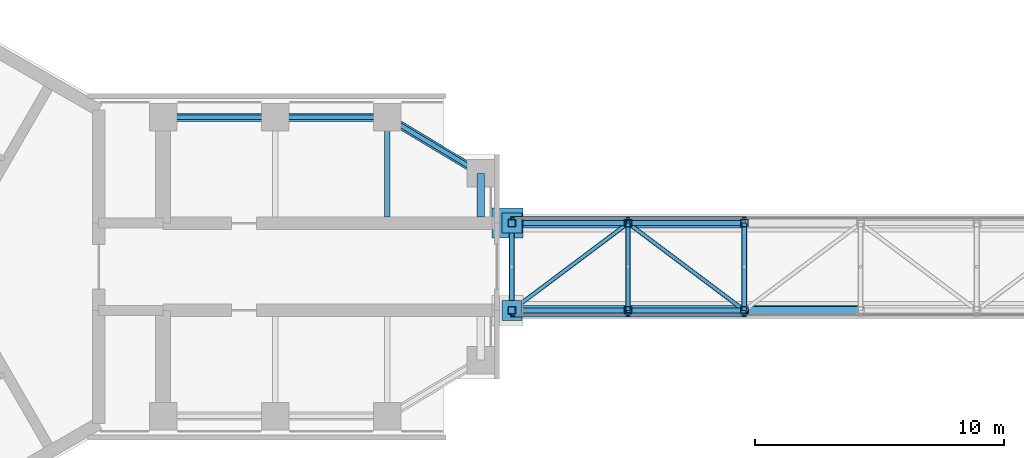
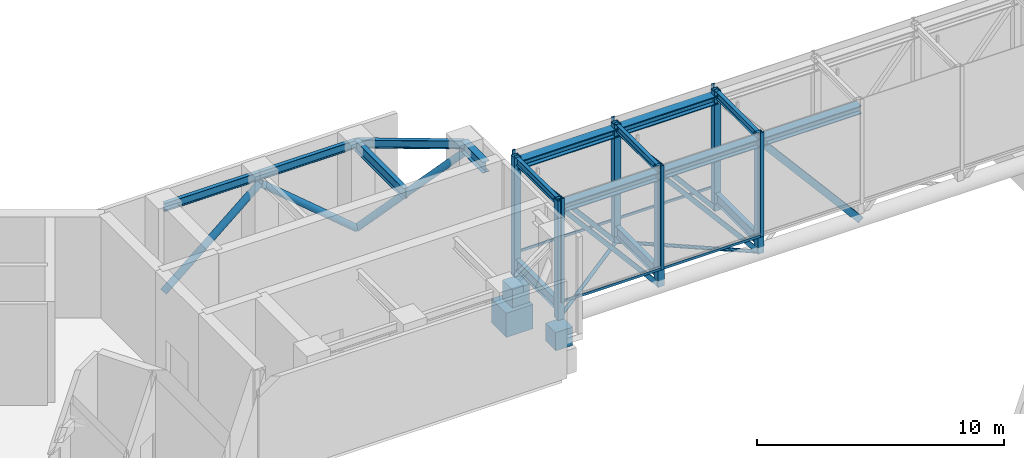
# One storey, part 2 of 15: 33 members, 12 beams, 2 elements without a shape of their own.
"""IFC4 building model written with IfcOpenShell, lengths in metres."""

import ifcopenshell
import ifcopenshell.guid

model = None  # the IFC model being written
_history = None  # IfcOwnerHistory: only IFC2X3 demands one
_inside = {}  # id of a spatial element -> (the spatial element, [elements in it])
_under = {}  # id of a project, library or spatial element -> (it, [spatial elements below it])
_declared = {}  # id of a project -> (the project, [libraries it declares])
_typed = {}  # id of a type object -> (the type object, [elements of that type])
_made_of = {}  # id of a material, layer set ... -> (it, [elements and type objects made of it])


def new_model(schema):
    """Start an empty IFC model of exactly this schema.

    Asked for "IFC4X3", IfcOpenShell would pick the latest addendum, in which some entities
    have other attributes; the version numbers below select the first issue.
    IFC2X3 requires an IfcOwnerHistory on every rooted entity: one is made here for all.
    """
    global model, _history
    if schema == "IFC4X3":
        model = ifcopenshell.file(schema_version=(4, 3, 0, 0))
    else:
        model = ifcopenshell.file(schema=schema)
    _inside.clear()
    _under.clear()
    _declared.clear()
    _typed.clear()
    _made_of.clear()
    _history = None
    if model.schema == "IFC2X3":
        org = make("IfcOrganization", Name="unknown")
        user = make(
            "IfcPersonAndOrganization",
            ThePerson=make("IfcPerson", FamilyName="unknown"),
            TheOrganization=org,
        )
        app = make(
            "IfcApplication",
            ApplicationDeveloper=org,
            Version="unknown",
            ApplicationFullName="unknown",
            ApplicationIdentifier="unknown",
        )
        _history = make(
            "IfcOwnerHistory",
            OwningUser=user,
            OwningApplication=app,
            ChangeAction="ADDED",
            CreationDate=0,
        )
    return model


def make(cls, **values):
    """One entity of the class cls with the attributes given. An attribute that is None is left unset."""
    return model.create_entity(
        cls, **{name: value for name, value in values.items() if value is not None}
    )


def rooted(cls, **values):
    """An entity with a GlobalId (a new one), such as an element, a storey or a relation."""
    return make(cls, GlobalId=ifcopenshell.guid.new(), OwnerHistory=_history, **values)


def si_unit(unit_type, name, prefix=None):
    """IfcSIUnit, for example si_unit("LENGTHUNIT", "METRE", prefix="MILLI")."""
    return make("IfcSIUnit", UnitType=unit_type, Prefix=prefix, Name=name)


def assignment(units):
    """IfcUnitAssignment: the units of a project."""
    return None if units is None else make("IfcUnitAssignment", Units=units)


def point(xyz):
    """IfcCartesianPoint."""
    return None if xyz is None else make("IfcCartesianPoint", Coordinates=xyz)


def direction(xyz):
    """IfcDirection."""
    return None if xyz is None else make("IfcDirection", DirectionRatios=xyz)


def frame(location, z_axis=None, x_axis=None):
    """IfcAxis2Placement3D, a coordinate frame: its origin and axes. An axis left out is left unset."""
    return make(
        "IfcAxis2Placement3D",
        Location=point(location),
        Axis=direction(z_axis),
        RefDirection=direction(x_axis),
    )


def frame_2d(location, x_axis=None):
    """IfcAxis2Placement2D, a coordinate frame in the plane: its origin and x axis."""
    return make(
        "IfcAxis2Placement2D", Location=point(location), RefDirection=direction(x_axis)
    )


def origin():
    """The frame at (0, 0, 0) with its axes left unset."""
    return frame((0.0, 0.0, 0.0))


def origin_2d():
    """The frame at (0, 0) in the plane with its x axis left unset."""
    return frame_2d((0.0, 0.0))


def place(relative_to, where):
    """IfcLocalPlacement: puts the frame where relative to a parent placement (None: the world)."""
    return make(
        "IfcLocalPlacement", PlacementRelTo=relative_to, RelativePlacement=where
    )


def context(
    kind, dimensions, precision=None, world=None, true_north=None, identifier=None
):
    """IfcGeometricRepresentationContext, for example the 3D "Model" context."""
    return make(
        "IfcGeometricRepresentationContext",
        ContextIdentifier=identifier,
        ContextType=kind,
        CoordinateSpaceDimension=dimensions,
        Precision=precision,
        WorldCoordinateSystem=world,
        TrueNorth=true_north,
    )


def subcontext(parent, identifier, kind, view, scale=None):
    """IfcGeometricRepresentationSubContext, for example "Body" below "Model"."""
    return make(
        "IfcGeometricRepresentationSubContext",
        ContextIdentifier=identifier,
        ContextType=kind,
        ParentContext=parent,
        TargetScale=scale,
        TargetView=view,
    )


def project(units=None, contexts=None):
    """IfcProject with its units and contexts."""
    return rooted(
        "IfcProject",
        Name="project",
        RepresentationContexts=contexts,
        UnitsInContext=assignment(units),
    )


def spatial(cls, under=None, at=None, **own):
    """A site, building, storey or space (cls), placed at a placement, below another one or the project."""
    s = rooted(cls, ObjectPlacement=at, **own)
    if under is not None:
        _under.setdefault(under.id(), (under, []))[1].append(s)
    return s


def profile(cls, at=None, kind="AREA", **sizes):
    """A parametric profile (cls). Its sizes go by their IFC names, for example OverallWidth=200.0."""
    return make(cls, ProfileType=kind, Position=at, **sizes)


def rectangle(**sizes):
    """IfcRectangleProfileDef."""
    return profile("IfcRectangleProfileDef", **sizes)


def hollow_rectangle(**sizes):
    """IfcRectangleHollowProfileDef."""
    return profile("IfcRectangleHollowProfileDef", **sizes)


def hollow_circle(**sizes):
    """IfcCircleHollowProfileDef."""
    return profile("IfcCircleHollowProfileDef", **sizes)


def i_section(**sizes):
    """IfcIShapeProfileDef."""
    return profile("IfcIShapeProfileDef", **sizes)


def extrude(swept, where, along, depth):
    """IfcExtrudedAreaSolid: the profile swept, set in the frame where, extruded along a direction by depth."""
    return make(
        "IfcExtrudedAreaSolid",
        SweptArea=swept,
        Position=where,
        ExtrudedDirection=direction(along),
        Depth=depth,
    )


def shape(context_of_items, identifier, shape_type, items):
    """IfcShapeRepresentation: the items that make up one representation, for example the "Body"."""
    return make(
        "IfcShapeRepresentation",
        ContextOfItems=context_of_items,
        RepresentationIdentifier=identifier,
        RepresentationType=shape_type,
        Items=items,
    )


def material(Name=None, Category=None):
    """IfcMaterial."""
    return make("IfcMaterial", Name=Name, Category=Category)


def material_profile(
    of_material, cross_section, Name=None, Category=None, Priority=None
):
    """IfcMaterialProfile: a cross section and its material."""
    return make(
        "IfcMaterialProfile",
        Name=Name,
        Material=of_material,
        Profile=cross_section,
        Priority=Priority,
        Category=Category,
    )


def profile_set(profiles, Name=None, composite=None):
    """IfcMaterialProfileSet."""
    return make(
        "IfcMaterialProfileSet",
        Name=Name,
        MaterialProfiles=profiles,
        CompositeProfile=composite,
    )


def made_of(thing, what):
    """Note that an element or type object is made of a material, layer set ...; save() writes the relation."""
    if what is not None:
        _made_of.setdefault(what.id(), (what, []))[1].append(thing)
    return thing


def type_object(cls, material=None, **own):
    """A type object (cls), such as IfcWallType, which elements share."""
    return made_of(rooted(cls, **own), material)


def element(
    cls,
    number,
    at=None,
    inside=None,
    cuts=None,
    type_object=None,
    material=None,
    context=None,
    identifier="Body",
    shape_type=None,
    held_by="IfcProductDefinitionShape",
    body=None,
    shapes=None,
    **own,
):
    """One element of the class cls, such as IfcWall. Its Tag is "e" and its number.

    at: its placement. inside: the storey or other place that contains it. cuts: it is an
    opening in that element (IfcRelVoidsElement). A single representation is given by context,
    identifier, shape_type and body (its items); several are given by shapes. held_by: the class
    of the entity that holds the representations. save() writes the other relations.
    """
    e = rooted(cls, Tag="e%d" % number, ObjectPlacement=at, **own)
    if body is not None:
        shapes = [shape(context, identifier, shape_type, body)]
    if shapes is not None:
        e.Representation = make(held_by, Representations=shapes)
    if inside is not None:
        _inside.setdefault(inside.id(), (inside, []))[1].append(e)
    if cuts is not None:
        rooted(
            "IfcRelVoidsElement", RelatingBuildingElement=cuts, RelatedOpeningElement=e
        )
    if type_object is not None:
        _typed.setdefault(type_object.id(), (type_object, []))[1].append(e)
    return made_of(e, material)


def aggregate(whole, parts):
    """IfcRelAggregates: a whole, such as a stair, and the parts it consists of."""
    return rooted("IfcRelAggregates", RelatingObject=whole, RelatedObjects=parts)


def save(model, path):
    """Write the relations noted so far, then the file.

    IfcRelAggregates (storeys below a building ...), IfcRelContainedInSpatialStructure (elements
    in a storey), IfcRelDefinesByType, IfcRelAssociatesMaterial and IfcRelDeclares: one each for
    every whole, place, type object, material and project.
    """
    for whole, parts in _under.values():
        aggregate(whole, parts)
    for where, things in _inside.values():
        rooted(
            "IfcRelContainedInSpatialStructure",
            RelatedElements=things,
            RelatingStructure=where,
        )
    for kind, things in _typed.values():
        rooted("IfcRelDefinesByType", RelatedObjects=things, RelatingType=kind)
    for what, things in _made_of.values():
        rooted("IfcRelAssociatesMaterial", RelatedObjects=things, RelatingMaterial=what)
    for by, libraries in _declared.values():
        rooted("IfcRelDeclares", RelatingContext=by, RelatedDefinitions=libraries)
    model.write(path)


model = new_model("IFC4")

# Units and contexts
model_context = context("Model", 3, precision=1e-05, world=origin(), true_north=direction((0.0, 1.0)))
body_context = subcontext(model_context, "Body", "Model", "MODEL_VIEW")
ifc_project = project(units=[si_unit("LENGTHUNIT", "METRE"), si_unit("AREAUNIT", "SQUARE_METRE"), si_unit("VOLUMEUNIT", "CUBIC_METRE"), si_unit("PLANEANGLEUNIT", "RADIAN"), si_unit("MASSUNIT", "GRAM", prefix="KILO")], contexts=[model_context])

# Site, building, storey
site_placement = place(None, origin())
site = spatial("IfcSite", under=ifc_project, at=site_placement, CompositionType="ELEMENT")
building_placement = place(site_placement, origin())
building = spatial("IfcBuilding", under=site, at=building_placement, Name="Upepo Twin Towers", CompositionType="ELEMENT")
storey_placement = place(building_placement, frame((0.0, 0.0, 238.5)))
storey = spatial("IfcBuildingStorey", under=building, at=storey_placement, Name="L58", CompositionType="ELEMENT", Elevation=238.5)

# Beams
ifc_material_1 = material(Name="Steel S355", Category="steel")
ifc_material_profile_1 = material_profile(ifc_material_1, i_section(OverallWidth=0.17138671875, OverallDepth=0.35498046875, WebThickness=0.00732421875, FlangeThickness=0.011474609375, FilletRadius=0.01025390625, at=origin_2d()), Name="UB 356x171x51")
ifc_profile_set_1 = profile_set([ifc_material_profile_1], Name="Steel S355")
beam_type_1 = type_object("IfcBeamType", Name="Beam UB 356x171x51", PredefinedType="BEAM", material=ifc_profile_set_1)
for number, where, z_axis, x_axis, name in (
    (1, (27.5, -1.75, 4.62255859375), (0.0, 1.0, 0.0), (-1.0, 0.0, 0.0), "BR3 roof beam 0"),
    (2, (32.16796875, -1.75, 4.62255859375), (0.0, 1.0, 0.0), (-1.0, 0.0, 0.0), "BR3 roof beam 1"),
    (3, (36.8359375, -1.75, 4.62255859375), (0.0, 1.0, 0.0), (-1.0, 0.0, 0.0), "BR3 roof beam 2"),
):
    element("IfcBeam", number, at=place(storey_placement, frame(where, z_axis=z_axis, x_axis=x_axis)), inside=storey, type_object=beam_type_1, Name=name, PredefinedType="BEAM", context=body_context, shape_type="SweptSolid", body=[
        extrude(i_section(OverallWidth=0.17138671875, OverallDepth=0.35498046875, WebThickness=0.00732421875, FlangeThickness=0.011474609375, FilletRadius=0.01025390625, at=origin_2d()), origin(), (0.0, 0.0, 1.0), 3.5),
    ])
ifc_material_2 = material(Name="Steel S355", Category="steel")
ifc_material_profile_2 = material_profile(ifc_material_2, i_section(OverallWidth=0.177978515625, OverallDepth=0.406494140625, WebThickness=0.0078125, FlangeThickness=0.0126953125, FilletRadius=0.01025390625, at=origin_2d()), Name="UB 406x178x60")
ifc_profile_set_2 = profile_set([ifc_material_profile_2], Name="Steel S355")
beam_type_2 = type_object("IfcBeamType", Name="Beam UB 406x178x60", PredefinedType="BEAM", material=ifc_profile_set_2)
for number, where, z_axis, x_axis, name in (
    (4, (13.5, 6.0, 4.5966796875), (1.0, 0.0, 0.0), (0.0, 1.0, 0.0), "T1 edge beam AL 13.5-18.0"),
    (5, (18.0, 6.0, 4.5966796875), (1.0, 0.0, 0.0), (0.0, 1.0, 0.0), "T1 edge beam AL 18.0-22.5"),
):
    element("IfcBeam", number, at=place(storey_placement, frame(where, z_axis=z_axis, x_axis=x_axis)), inside=storey, type_object=beam_type_2, Name=name, PredefinedType="BEAM", context=body_context, shape_type="SweptSolid", body=[
        extrude(i_section(OverallWidth=0.177978515625, OverallDepth=0.406494140625, WebThickness=0.0078125, FlangeThickness=0.0126953125, FilletRadius=0.01025390625, at=origin_2d()), origin(), (0.0, 0.0, 1.0), 4.5),
    ])
beam_1_placement = place(storey_placement, frame((22.5, 6.0, 4.5966796875), z_axis=(0.857492925713, -0.514495755428, 0.0), x_axis=(0.514495755428, 0.857492925713, 0.0)))
element("IfcBeam", 6, at=beam_1_placement, inside=storey, type_object=beam_type_2, Name="T1 nose edge beam AL", PredefinedType="BEAM", context=body_context, shape_type="SweptSolid", body=[
    extrude(i_section(OverallWidth=0.177978515625, OverallDepth=0.406494140625, WebThickness=0.0078125, FlangeThickness=0.0126953125, FilletRadius=0.01025390625, at=origin_2d()), origin(), (0.0, 0.0, 1.0), 4.373291015625),
])
ifc_material_3 = material(Name="Steel S355", Category="steel")
ifc_material_profile_3 = material_profile(ifc_material_3, i_section(OverallWidth=0.209228515625, OverallDepth=0.533203125, WebThickness=0.010009765625, FlangeThickness=0.015625, FilletRadius=0.0126953125, at=origin_2d()), Name="UB 533x210x92")
ifc_profile_set_3 = profile_set([ifc_material_profile_3], Name="Steel S355")
beam_type_3 = type_object("IfcBeamType", Name="Beam UB 533x210x92", PredefinedType="BEAM", material=ifc_profile_set_3)
beam_2_placement = place(storey_placement, frame((22.5, 6.0, 4.533447265625), z_axis=(0.0, -1.0, 0.0), x_axis=(1.0, 0.0, 0.0)))
element("IfcBeam", 7, at=beam_2_placement, inside=storey, type_object=beam_type_3, Name="T1 girder AL at 22.5", PredefinedType="BEAM", context=body_context, shape_type="SweptSolid", body=[
    extrude(i_section(OverallWidth=0.209228515625, OverallDepth=0.533203125, WebThickness=0.010009765625, FlangeThickness=0.015625, FilletRadius=0.0126953125, at=origin_2d()), origin(), (0.0, 0.0, 1.0), 4.0),
])
for number, where, z_axis, x_axis, name in (
    (8, (27.5, -1.75, -0.466552734375), (0.0, 1.0, 0.0), (-1.0, 0.0, 0.0), "BR3 floor beam 0"),
    (9, (32.16796875, -1.75, -0.466552734375), (0.0, 1.0, 0.0), (-1.0, 0.0, 0.0), "BR3 floor beam 1"),
    (10, (36.8359375, -1.75, -0.466552734375), (0.0, 1.0, 0.0), (-1.0, 0.0, 0.0), "BR3 floor beam 2"),
):
    element("IfcBeam", number, at=place(storey_placement, frame(where, z_axis=z_axis, x_axis=x_axis)), inside=storey, type_object=beam_type_3, Name=name, PredefinedType="BEAM", context=body_context, shape_type="SweptSolid", body=[
        extrude(i_section(OverallWidth=0.209228515625, OverallDepth=0.533203125, WebThickness=0.010009765625, FlangeThickness=0.015625, FilletRadius=0.0126953125, at=origin_2d()), origin(), (0.0, 0.0, 1.0), 3.5),
    ])
ifc_material_4 = material(Name="Steel S355", Category="steel")
ifc_material_profile_4 = material_profile(ifc_material_4, i_section(OverallWidth=0.31201171875, OverallDepth=0.54345703125, WebThickness=0.0126953125, FlangeThickness=0.020263671875, FilletRadius=0.0126953125, at=origin_2d()), Name="UB 533x312x150")
ifc_profile_set_4 = profile_set([ifc_material_profile_4], Name="Steel S355")
beam_type_4 = type_object("IfcBeamType", Name="Beam UB 533x312x150", PredefinedType="BEAM", material=ifc_profile_set_4)
beam_3_placement = place(storey_placement, frame((26.25, 3.75, 4.5283203125), z_axis=(0.0, -1.0, 0.0), x_axis=(1.0, 0.0, 0.0)))
element("IfcBeam", 11, at=beam_3_placement, inside=storey, type_object=beam_type_4, Name="T1 nose beam AL", PredefinedType="BEAM", context=body_context, shape_type="SweptSolid", body=[
    extrude(i_section(OverallWidth=0.31201171875, OverallDepth=0.54345703125, WebThickness=0.0126953125, FlangeThickness=0.020263671875, FilletRadius=0.0126953125, at=origin_2d()), origin(), (0.0, 0.0, 1.0), 1.75),
])

# Members
ifc_material_5 = material(Name="Steel S355", Category="steel")
ifc_material_profile_5 = material_profile(ifc_material_5, hollow_circle(Radius=0.161865234375, WallThickness=0.01611328125, at=origin_2d()), Name="CHS 323.9x16.0")
ifc_profile_set_5 = profile_set([ifc_material_profile_5], Name="Steel S355")
member_type_1 = type_object("IfcMemberType", Name="Belt truss diagonal CHS 323.9x16.0", PredefinedType="BRACE", material=ifc_profile_set_5)
for number, where, z_axis, x_axis, name in (
    (12, (13.5, 6.0, 0.39990234375), (0.764025829276, 0.0, 0.645185657155), (0.0, 1.0, 0.0), "T1 belt truss diagonal AL1"),
    (13, (22.5, 6.0, 0.39990234375), (-0.764025829276, 0.0, 0.645185657155), (0.0, -1.0, 0.0), "T1 belt truss diagonal AL2"),
):
    element("IfcMember", number, at=place(storey_placement, frame(where, z_axis=z_axis, x_axis=x_axis)), inside=storey, type_object=member_type_1, Name=name, PredefinedType="BRACE", context=body_context, shape_type="SweptSolid", body=[
        extrude(hollow_circle(Radius=0.161865234375, WallThickness=0.01611328125, at=origin_2d()), origin(), (0.0, 0.0, 1.0), 5.889892578125),
    ])
member_1_placement = place(storey_placement, frame((22.5, 6.0, 0.39990234375), z_axis=(0.647270093312, -0.388362055987, 0.655908789218), x_axis=(0.514495755428, 0.857492925713, 0.0)))
element("IfcMember", 14, at=member_1_placement, inside=storey, type_object=member_type_1, Name="T1 belt truss nose diagonal AL", PredefinedType="BRACE", context=body_context, shape_type="SweptSolid", body=[
    extrude(hollow_circle(Radius=0.161865234375, WallThickness=0.01611328125, at=origin_2d()), origin(), (0.0, 0.0, 1.0), 5.79345703125),
])

# Beam
ifc_material_6 = material(Name="Concrete C60/75", Category="concrete")
ifc_material_profile_6 = material_profile(ifc_material_6, rectangle(XDim=1.199951171875, YDim=1.199951171875, at=origin_2d()), Name="RC 1200x1200")
ifc_profile_set_6 = profile_set([ifc_material_profile_6], Name="Concrete C60/75")
beam_type_5 = type_object("IfcBeamType", Name="Bridge bearing corbel RC 1200x1200", PredefinedType="BEAM", material=ifc_profile_set_6)
beam_4_placement = place(storey_placement, frame((26.699951171875, 1.75, -2.944091796875), z_axis=(1.0, 0.0, 0.0), x_axis=(0.0, 1.0, 0.0)))
element("IfcBeam", 15, at=beam_4_placement, inside=storey, type_object=beam_type_5, Name="BR3 bearing corbel at T1 N", PredefinedType="BEAM", context=body_context, shape_type="SweptSolid", body=[
    extrude(rectangle(XDim=1.199951171875, YDim=1.199951171875, at=origin_2d()), origin(), (0.0, 0.0, 1.0), 1.25),
])

# Members
ifc_material_7 = material(Name="Steel S355 with elastomer", Category="steel")
ifc_material_profile_7 = material_profile(ifc_material_7, rectangle(XDim=0.800048828125, YDim=0.800048828125, at=origin_2d()), Name="BEARING 800x800 PINNED")
ifc_profile_set_7 = profile_set([ifc_material_profile_7], Name="Steel S355 with elastomer")
member_type_2 = type_object("IfcMemberType", Name="Bridge bearing, pinned", PredefinedType="USERDEFINED", material=ifc_profile_set_7)
for number, where, z_axis, x_axis, name in (
    (16, (27.5, 1.75, -2.343994140625), (0.0, 0.0, 1.0), (1.0, 0.0, 0.0), "BR3 pinned bearing at T1 N"),
    (17, (27.5, -1.75, -2.343994140625), (0.0, 0.0, 1.0), (1.0, 0.0, 0.0), "BR3 pinned bearing at T1 S"),
):
    element("IfcMember", number, at=place(storey_placement, frame(where, z_axis=z_axis, x_axis=x_axis)), inside=storey, type_object=member_type_2, Name=name, ObjectType="BEARING", PredefinedType="USERDEFINED", context=body_context, shape_type="SweptSolid", body=[
        extrude(rectangle(XDim=0.800048828125, YDim=0.800048828125, at=origin_2d()), origin(), (0.0, 0.0, 1.0), 0.89990234375),
    ])
ifc_material_8 = material(Name="Steel S355", Category="steel")
ifc_material_profile_8 = material_profile(ifc_material_8, i_section(OverallWidth=0.403076171875, OverallDepth=0.406494140625, WebThickness=0.026611328125, FlangeThickness=0.04296875, FilletRadius=0.01513671875, at=origin_2d()), Name="UC 356x406x340")
ifc_profile_set_8 = profile_set([ifc_material_profile_8], Name="Steel S355")
member_type_3 = type_object("IfcMemberType", Name="Bridge chord UC 356x406x340", PredefinedType="CHORD", material=ifc_profile_set_8)
for number, where, z_axis, x_axis, name in (
    (18, (27.5, 1.75, 4.39990234375), (1.0, 0.0, 0.0), (0.0, 1.0, 0.0), "BR3 top chord N1"),
    (19, (32.16796875, 1.75, 4.39990234375), (1.0, 0.0, 0.0), (0.0, 1.0, 0.0), "BR3 top chord N2"),
    (20, (27.5, -1.75, 4.39990234375), (1.0, 0.0, 0.0), (0.0, 1.0, 0.0), "BR3 top chord S1"),
    (21, (32.16796875, -1.75, 4.39990234375), (1.0, 0.0, 0.0), (0.0, 1.0, 0.0), "BR3 top chord S2"),
    (22, (36.8359375, -1.75, 4.39990234375), (1.0, 0.0, 0.0), (0.0, 1.0, 0.0), "BR3 top chord S3"),
):
    element("IfcMember", number, at=place(storey_placement, frame(where, z_axis=z_axis, x_axis=x_axis)), inside=storey, type_object=member_type_3, Name=name, PredefinedType="CHORD", context=body_context, shape_type="SweptSolid", body=[
        extrude(i_section(OverallWidth=0.403076171875, OverallDepth=0.406494140625, WebThickness=0.026611328125, FlangeThickness=0.04296875, FilletRadius=0.01513671875, at=origin_2d()), origin(), (0.0, 0.0, 1.0), 4.66796875),
    ])
ifc_material_9 = material(Name="Steel S355", Category="steel")
ifc_material_profile_9 = material_profile(ifc_material_9, hollow_rectangle(XDim=0.199951171875, YDim=0.199951171875, WallThickness=0.010009765625, at=origin_2d()), Name="SHS 200x200x10.0")
ifc_profile_set_9 = profile_set([ifc_material_profile_9], Name="Steel S355")
member_type_4 = type_object("IfcMemberType", Name="Bridge diagonal SHS 200x200x10.0", PredefinedType="BRACE", material=ifc_profile_set_9)
for number, where, z_axis, x_axis, name in (
    (23, (27.5, 1.75, 4.39990234375), (0.647867731372, 0.0, -0.761752848795), (0.0, 1.0, 0.0), "BR3 diagonal N1"),
    (24, (32.16796875, 1.75, 4.39990234375), (0.647867731372, 0.0, -0.761752848795), (0.0, 1.0, 0.0), "BR3 diagonal N2"),
    (25, (27.5, -1.75, 4.39990234375), (0.647867731372, 0.0, -0.761752848795), (0.0, 1.0, 0.0), "BR3 diagonal S1"),
    (26, (32.16796875, -1.75, 4.39990234375), (0.647867731372, 0.0, -0.761752848795), (0.0, 1.0, 0.0), "BR3 diagonal S2"),
):
    element("IfcMember", number, at=place(storey_placement, frame(where, z_axis=z_axis, x_axis=x_axis)), inside=storey, type_object=member_type_4, Name=name, PredefinedType="BRACE", context=body_context, shape_type="SweptSolid", body=[
        extrude(hollow_rectangle(XDim=0.199951171875, YDim=0.199951171875, WallThickness=0.010009765625, at=origin_2d()), origin(), (0.0, 0.0, 1.0), 7.205078125),
    ])
ifc_material_10 = material(Name="Steel S355", Category="steel")
ifc_material_profile_10 = material_profile(ifc_material_10, hollow_rectangle(XDim=0.300048828125, YDim=0.300048828125, WallThickness=0.012451171875, at=origin_2d()), Name="SHS 300x300x12.5")
ifc_profile_set_10 = profile_set([ifc_material_profile_10], Name="Steel S355")
member_type_5 = type_object("IfcMemberType", Name="Bridge diagonal SHS 300x300x12.5", PredefinedType="BRACE", material=ifc_profile_set_10)
member_2_placement = place(storey_placement, frame((36.8359375, -1.75, 4.39990234375), z_axis=(0.647867731372, 0.0, -0.761752848795), x_axis=(0.0, 1.0, 0.0)))
element("IfcMember", 27, at=member_2_placement, inside=storey, type_object=member_type_5, Name="BR3 diagonal S3", PredefinedType="BRACE", context=body_context, shape_type="SweptSolid", body=[
    extrude(hollow_rectangle(XDim=0.300048828125, YDim=0.300048828125, WallThickness=0.012451171875, at=origin_2d()), origin(), (0.0, 0.0, 1.0), 7.205078125),
])
ifc_material_11 = material(Name="Steel S355", Category="steel")
ifc_material_profile_11 = material_profile(ifc_material_11, hollow_circle(Radius=0.084228515625, WallThickness=0.008056640625, at=origin_2d()), Name="CHS 168.3x8.0")
ifc_profile_set_11 = profile_set([ifc_material_profile_11], Name="Steel S355")
member_type_6 = type_object("IfcMemberType", Name="Bridge plan brace CHS 168.3x8.0", PredefinedType="BRACE", material=ifc_profile_set_11)
for number, where, z_axis, x_axis, name in (
    (28, (27.5, -1.75, -1.088623046875), (0.800080335623, 0.599892870894, 0.0), (-0.599892870894, 0.800080335623, 0.0), "BR3 plan brace 1"),
    (29, (32.16796875, 1.75, -1.088623046875), (0.800080335623, -0.599892870894, 0.0), (0.599892870894, 0.800080335623, 0.0), "BR3 plan brace 2"),
):
    element("IfcMember", number, at=place(storey_placement, frame(where, z_axis=z_axis, x_axis=x_axis)), inside=storey, type_object=member_type_6, Name=name, PredefinedType="BRACE", context=body_context, shape_type="SweptSolid", body=[
        extrude(hollow_circle(Radius=0.084228515625, WallThickness=0.008056640625, at=origin_2d()), origin(), (0.0, 0.0, 1.0), 5.83447265625),
    ])
ifc_material_12 = material(Name="Steel S355", Category="steel")
ifc_material_profile_12 = material_profile(ifc_material_12, hollow_rectangle(XDim=0.300048828125, YDim=0.300048828125, WallThickness=0.012451171875, at=origin_2d()), Name="SHS 300x300x12.5")
ifc_profile_set_12 = profile_set([ifc_material_profile_12], Name="Steel S355")
member_type_7 = type_object("IfcMemberType", Name="Bridge post SHS 300x300x12.5", PredefinedType="POST", material=ifc_profile_set_12)
for number, where, z_axis, x_axis, name in (
    (30, (27.5, 1.75, -1.088623046875), (0.0, 0.0, 1.0), (1.0, 0.0, 0.0), "BR3 end post N0"),
    (31, (32.16796875, 1.75, -1.088623046875), (0.0, 0.0, 1.0), (1.0, 0.0, 0.0), "BR3 vertical N1"),
    (32, (36.8359375, 1.75, -1.088623046875), (0.0, 0.0, 1.0), (1.0, 0.0, 0.0), "BR3 vertical N2"),
    (33, (27.5, -1.75, -1.088623046875), (0.0, 0.0, 1.0), (1.0, 0.0, 0.0), "BR3 end post S0"),
    (34, (32.16796875, -1.75, -1.088623046875), (0.0, 0.0, 1.0), (1.0, 0.0, 0.0), "BR3 vertical S1"),
    (35, (36.8359375, -1.75, -1.088623046875), (0.0, 0.0, 1.0), (1.0, 0.0, 0.0), "BR3 vertical S2"),
):
    element("IfcMember", number, at=place(storey_placement, frame(where, z_axis=z_axis, x_axis=x_axis)), inside=storey, type_object=member_type_7, Name=name, PredefinedType="POST", context=body_context, shape_type="SweptSolid", body=[
        extrude(hollow_rectangle(XDim=0.300048828125, YDim=0.300048828125, WallThickness=0.012451171875, at=origin_2d()), origin(), (0.0, 0.0, 1.0), 5.888671875),
    ])

# Curtain wall, members
ifc_material_13 = material(Name="Aluminium and clear glass", Category="aluminium")
curtain_wall_type = type_object("IfcCurtainWallType", Name="Bridge curtain wall BW1", PredefinedType="NOTDEFINED", material=ifc_material_13)
curtain_wall_1_placement = place(storey_placement, origin())
curtain_wall_1 = element("IfcCurtainWall", 36, at=curtain_wall_1_placement, inside=storey, type_object=curtain_wall_type, Name="BR3 curtain wall N", PredefinedType="NOTDEFINED")
ifc_material_14 = material(Name="Aluminium mullion", Category="aluminium")
ifc_material_profile_13 = material_profile(ifc_material_14, rectangle(XDim=0.06494140625, YDim=0.14990234375, at=origin_2d()), Name="MULLION 65x150 BRIDGE")
ifc_profile_set_13 = profile_set([ifc_material_profile_13], Name="Aluminium mullion")
member_type_8 = type_object("IfcMemberType", Name="Mullion 65x150 BW1", PredefinedType="MULLION", material=ifc_profile_set_13)
member_3_placement = place(storey_placement, frame((36.8359375, 1.97509765625, -0.199951171875), z_axis=(0.0, 0.0, 1.0), x_axis=(0.0, -1.0, 0.0)))
member_3 = element("IfcMember", 37, at=member_3_placement, type_object=member_type_8, Name="BR3 curtain wall N mullion 4", PredefinedType="MULLION", context=body_context, shape_type="SweptSolid", body=[
    extrude(rectangle(XDim=0.06494140625, YDim=0.14990234375, at=origin_2d()), origin(), (0.0, 0.0, 1.0), 5.14990234375),
])
member_4_placement = place(storey_placement, frame((32.16796875, 1.97509765625, -0.199951171875), z_axis=(0.0, 0.0, 1.0), x_axis=(0.0, -1.0, 0.0)))
member_4 = element("IfcMember", 38, at=member_4_placement, type_object=member_type_8, Name="BR3 curtain wall N mullion 5", PredefinedType="MULLION", context=body_context, shape_type="SweptSolid", body=[
    extrude(rectangle(XDim=0.06494140625, YDim=0.14990234375, at=origin_2d()), origin(), (0.0, 0.0, 1.0), 5.14990234375),
])
member_5_placement = place(storey_placement, frame((27.532470703125, 1.97509765625, -0.199951171875), z_axis=(0.0, 0.0, 1.0), x_axis=(0.0, -1.0, 0.0)))
member_5 = element("IfcMember", 39, at=member_5_placement, type_object=member_type_8, Name="BR3 curtain wall N mullion 6", PredefinedType="MULLION", context=body_context, shape_type="SweptSolid", body=[
    extrude(rectangle(XDim=0.06494140625, YDim=0.14990234375, at=origin_2d()), origin(), (0.0, 0.0, 1.0), 5.14990234375),
])

curtain_wall_2_placement = place(storey_placement, origin())
curtain_wall_2 = element("IfcCurtainWall", 40, at=curtain_wall_2_placement, inside=storey, type_object=curtain_wall_type, Name="BR3 curtain wall S", PredefinedType="NOTDEFINED")
member_6_placement = place(storey_placement, frame((27.532470703125, -1.97509765625, -0.199951171875), z_axis=(0.0, 0.0, 1.0), x_axis=(0.0, 1.0, 0.0)))
member_6 = element("IfcMember", 41, at=member_6_placement, type_object=member_type_8, Name="BR3 curtain wall S mullion 1", PredefinedType="MULLION", context=body_context, shape_type="SweptSolid", body=[
    extrude(rectangle(XDim=0.06494140625, YDim=0.14990234375, at=origin_2d()), origin(), (0.0, 0.0, 1.0), 5.14990234375),
])
member_7_placement = place(storey_placement, frame((32.16796875, -1.97509765625, -0.199951171875), z_axis=(0.0, 0.0, 1.0), x_axis=(0.0, 1.0, 0.0)))
member_7 = element("IfcMember", 42, at=member_7_placement, type_object=member_type_8, Name="BR3 curtain wall S mullion 2", PredefinedType="MULLION", context=body_context, shape_type="SweptSolid", body=[
    extrude(rectangle(XDim=0.06494140625, YDim=0.14990234375, at=origin_2d()), origin(), (0.0, 0.0, 1.0), 5.14990234375),
])
member_8_placement = place(storey_placement, frame((36.8359375, -1.97509765625, -0.199951171875), z_axis=(0.0, 0.0, 1.0), x_axis=(0.0, 1.0, 0.0)))
member_8 = element("IfcMember", 43, at=member_8_placement, type_object=member_type_8, Name="BR3 curtain wall S mullion 3", PredefinedType="MULLION", context=body_context, shape_type="SweptSolid", body=[
    extrude(rectangle(XDim=0.06494140625, YDim=0.14990234375, at=origin_2d()), origin(), (0.0, 0.0, 1.0), 5.14990234375),
])

# Member
ifc_material_15 = material(Name="Aluminium transom", Category="aluminium")
ifc_material_profile_14 = material_profile(ifc_material_15, rectangle(XDim=0.06494140625, YDim=0.1201171875, at=origin_2d()), Name="TRANSOM 65x120 BRIDGE")
ifc_profile_set_14 = profile_set([ifc_material_profile_14], Name="Aluminium transom")
member_type_9 = type_object("IfcMemberType", Name="Transom 65x120 BW1", PredefinedType="USERDEFINED", material=ifc_profile_set_14)
member_9_placement = place(storey_placement, frame((36.803466796875, 1.97509765625, -0.139892578125), z_axis=(-1.0, 0.0, 0.0), x_axis=(0.0, -1.0, 0.0)))
member_9 = element("IfcMember", 44, at=member_9_placement, type_object=member_type_9, Name="BR3 curtain wall N transom 4", ObjectType="TRANSOM", PredefinedType="USERDEFINED", context=body_context, shape_type="SweptSolid", body=[
    extrude(rectangle(XDim=0.06494140625, YDim=0.1201171875, at=origin_2d()), origin(), (0.0, 0.0, 1.0), 4.60302734375),
])

member_10_placement = place(storey_placement, frame((32.135498046875, 1.97509765625, -0.139892578125), z_axis=(-1.0, 0.0, 0.0), x_axis=(0.0, -1.0, 0.0)))
member_10 = element("IfcMember", 45, at=member_10_placement, type_object=member_type_9, Name="BR3 curtain wall N transom 5", ObjectType="TRANSOM", PredefinedType="USERDEFINED", context=body_context, shape_type="SweptSolid", body=[
    extrude(rectangle(XDim=0.06494140625, YDim=0.1201171875, at=origin_2d()), origin(), (0.0, 0.0, 1.0), 4.570556640625),
])

aggregate(curtain_wall_1, [member_3, member_4, member_5, member_9, member_10])

member_11_placement = place(storey_placement, frame((27.56494140625, -1.97509765625, -0.139892578125), z_axis=(1.0, 0.0, 0.0), x_axis=(0.0, 1.0, 0.0)))
member_11 = element("IfcMember", 46, at=member_11_placement, type_object=member_type_9, Name="BR3 curtain wall S transom 1", ObjectType="TRANSOM", PredefinedType="USERDEFINED", context=body_context, shape_type="SweptSolid", body=[
    extrude(rectangle(XDim=0.06494140625, YDim=0.1201171875, at=origin_2d()), origin(), (0.0, 0.0, 1.0), 4.570556640625),
])

member_12_placement = place(storey_placement, frame((32.200439453125, -1.97509765625, -0.139892578125), z_axis=(1.0, 0.0, 0.0), x_axis=(0.0, 1.0, 0.0)))
member_12 = element("IfcMember", 47, at=member_12_placement, type_object=member_type_9, Name="BR3 curtain wall S transom 2", ObjectType="TRANSOM", PredefinedType="USERDEFINED", context=body_context, shape_type="SweptSolid", body=[
    extrude(rectangle(XDim=0.06494140625, YDim=0.1201171875, at=origin_2d()), origin(), (0.0, 0.0, 1.0), 4.60302734375),
])

aggregate(curtain_wall_2, [member_6, member_7, member_8, member_11, member_12])

save(model, "model.ifc")
